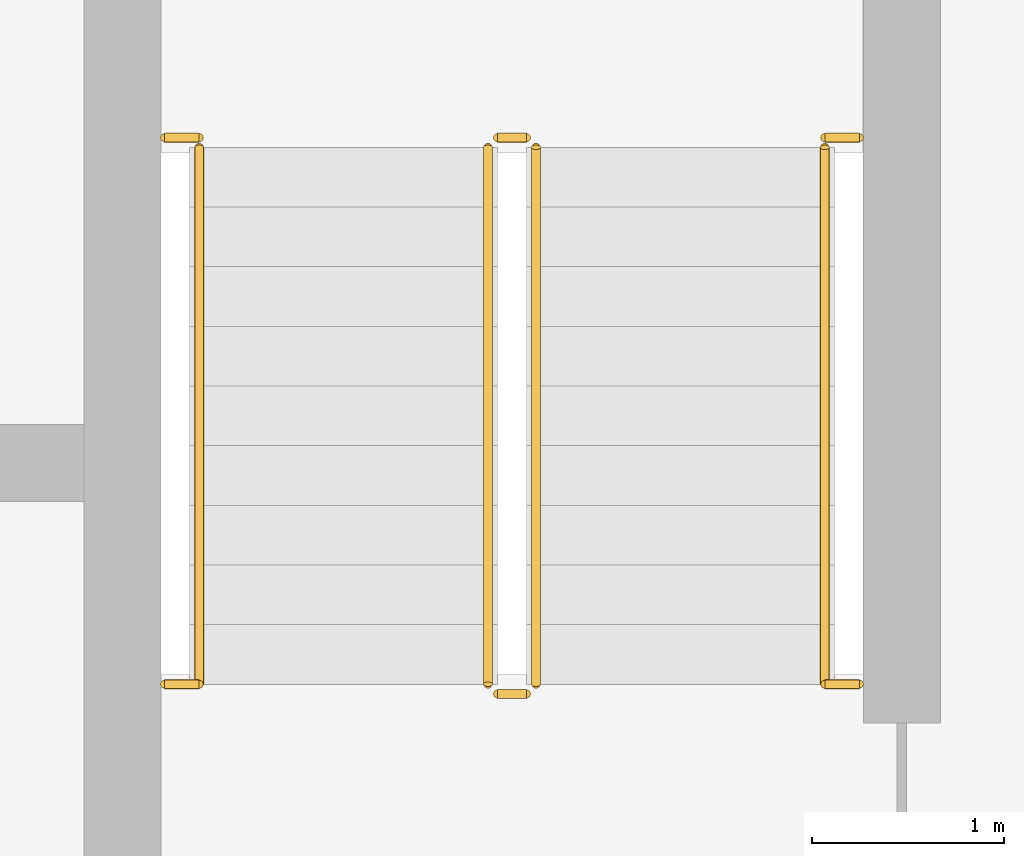
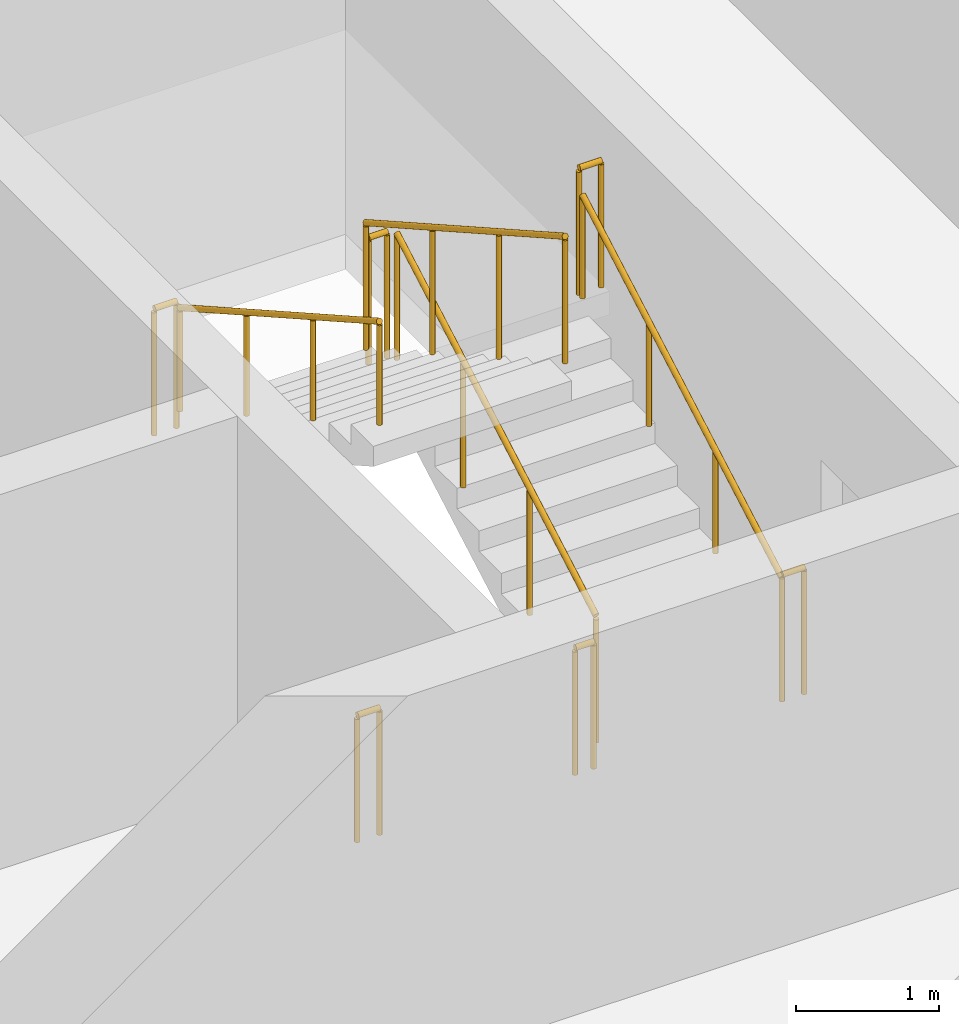
# One storey, part 19 of 21: 10 railings.
"""IFC4 building model written with IfcOpenShell, lengths in metres."""

from ifc_helpers import new_model, si_unit, direction, frame, origin, origin_2d, place, context, subcontext, project, spatial, circle, extrude, material, type_object, element, save


model = new_model("IFC4")

# Units and contexts
model_context = context("Model", 3, precision=1e-05, world=origin(), true_north=direction((0.0, 1.0)))
body_context = subcontext(model_context, "Body", "Model", "MODEL_VIEW")
ifc_project = project(units=[si_unit("LENGTHUNIT", "METRE"), si_unit("AREAUNIT", "SQUARE_METRE"), si_unit("VOLUMEUNIT", "CUBIC_METRE"), si_unit("PLANEANGLEUNIT", "RADIAN"), si_unit("MASSUNIT", "GRAM", prefix="KILO")], contexts=[model_context])

# Site, building, storey
site_placement = place(None, origin())
site = spatial("IfcSite", under=ifc_project, at=site_placement, CompositionType="ELEMENT")
building_placement = place(site_placement, origin())
building = spatial("IfcBuilding", under=site, at=building_placement, Name="Madar Terraces", CompositionType="ELEMENT")
storey_placement = place(building_placement, frame((0.0, 0.0, 275.60009765625)))
storey = spatial("IfcBuildingStorey", under=building, at=storey_placement, Name="L72", CompositionType="ELEMENT", Elevation=275.60009765625)

# Railings
ifc_material_1 = material(Name="Stainless steel railing", Category="steel")
railing_type_1 = type_object("IfcRailingType", Name="Stair guard 1100", PredefinedType="GUARDRAIL", material=ifc_material_1)
railing_1_placement = place(storey_placement, frame((41.449951171875, 17.60009765625, 0.1748046875)))
element("IfcRailing", 1, at=railing_1_placement, inside=storey, type_object=railing_type_1, Name="L72 ST3 stair guard 1", PredefinedType="GUARDRAIL", context=body_context, shape_type="SweptSolid", body=[
    extrude(circle(Radius=0.02392578125, at=origin_2d()), frame((0.0, 0.0, 1.076171875), z_axis=(0.0, 0.870782738816, 0.491667999549), x_axis=(-1.0, 0.0, 0.0)), (0.0, 0.0, 1.0), 3.203857421875),
    extrude(circle(Radius=0.02099609375, at=origin_2d()), origin(), (0.0, 0.0, 1.0), 1.052001953125),
    extrude(circle(Radius=0.02099609375, at=origin_2d()), frame((0.0, 0.929931640625, 0.525146484375)), (0.0, 0.0, 1.0), 1.052001953125),
    extrude(circle(Radius=0.02099609375, at=origin_2d()), frame((0.0, 1.85986328125, 1.050048828125)), (0.0, 0.0, 1.0), 1.052001953125),
    extrude(circle(Radius=0.02099609375, at=origin_2d()), frame((0.0, 2.789794921875, 1.5751953125)), (0.0, 0.0, 1.0), 1.052001953125),
])
railing_2_placement = place(storey_placement, frame((41.39990234375, 20.43994140625, 1.75)))
element("IfcRailing", 2, at=railing_2_placement, inside=storey, type_object=railing_type_1, Name="L72 ST3 stair guard 2", PredefinedType="GUARDRAIL", context=body_context, shape_type="SweptSolid", body=[
    extrude(circle(Radius=0.02392578125, at=origin_2d()), frame((0.0, 0.0, 1.076171875), z_axis=(-1.0, 0.0, 0.0), x_axis=(0.0, -1.0, 0.0)), (0.0, 0.0, 1.0), 0.14990234375),
    extrude(circle(Radius=0.02099609375, at=origin_2d()), origin(), (0.0, 0.0, 1.0), 1.052001953125),
    extrude(circle(Radius=0.02099609375, at=origin_2d()), frame((-0.14990234375, 0.0, 0.0)), (0.0, 0.0, 1.0), 1.052001953125),
])
railing_3_placement = place(storey_placement, frame((41.199951171875, 20.389892578125, 1.9248046875)))
element("IfcRailing", 3, at=railing_3_placement, inside=storey, type_object=railing_type_1, Name="L72 ST3 stair guard 3", PredefinedType="GUARDRAIL", context=body_context, shape_type="SweptSolid", body=[
    extrude(circle(Radius=0.02392578125, at=origin_2d()), frame((0.0, 0.0, 1.076171875), z_axis=(0.0, -0.870782738816, 0.491667999549), x_axis=(1.0, 0.0, 0.0)), (0.0, 0.0, 1.0), 3.203857421875),
    extrude(circle(Radius=0.02099609375, at=origin_2d()), origin(), (0.0, 0.0, 1.0), 1.052001953125),
    extrude(circle(Radius=0.02099609375, at=origin_2d()), frame((0.0, -0.929931640625, 0.525146484375)), (0.0, 0.0, 1.0), 1.052001953125),
    extrude(circle(Radius=0.02099609375, at=origin_2d()), frame((0.0, -1.85986328125, 1.050048828125)), (0.0, 0.0, 1.0), 1.052001953125),
    extrude(circle(Radius=0.02099609375, at=origin_2d()), frame((0.0, -2.789794921875, 1.5751953125)), (0.0, 0.0, 1.0), 1.052001953125),
])
railing_4_placement = place(storey_placement, frame((41.39990234375, 17.550048828125, 0.0)))
element("IfcRailing", 4, at=railing_4_placement, inside=storey, type_object=railing_type_1, Name="L72 ST3 stair guard 4", PredefinedType="GUARDRAIL", context=body_context, shape_type="SweptSolid", body=[
    extrude(circle(Radius=0.02392578125, at=origin_2d()), frame((0.0, 0.0, 1.076171875), z_axis=(-1.0, 0.0, 0.0), x_axis=(0.0, -1.0, 0.0)), (0.0, 0.0, 1.0), 0.14990234375),
    extrude(circle(Radius=0.02099609375, at=origin_2d()), origin(), (0.0, 0.0, 1.0), 1.052001953125),
    extrude(circle(Radius=0.02099609375, at=origin_2d()), frame((-0.14990234375, 0.0, 0.0)), (0.0, 0.0, 1.0), 1.052001953125),
])
for number, where, name in (
    (5, (39.52001953125, 20.43994140625, 1.75), "L72 stair guard seat 1"),
    (6, (42.949951171875, 20.43994140625, 1.75), "L72 stair guard seat 2"),
    (7, (39.52001953125, 17.60009765625, 0.0), "L72 stair guard floor 1"),
    (8, (42.949951171875, 17.60009765625, 0.0), "L72 stair guard floor 2"),
):
    element("IfcRailing", number, at=place(storey_placement, frame(where)), inside=storey, type_object=railing_type_1, Name=name, PredefinedType="GUARDRAIL", context=body_context, shape_type="SweptSolid", body=[
        extrude(circle(Radius=0.02392578125, at=origin_2d()), frame((0.0, 0.0, 1.076171875), z_axis=(1.0, 0.0, 0.0), x_axis=(0.0, 1.0, 0.0)), (0.0, 0.0, 1.0), 0.179931640625),
        extrude(circle(Radius=0.02099609375, at=origin_2d()), origin(), (0.0, 0.0, 1.0), 1.052001953125),
        extrude(circle(Radius=0.02099609375, at=origin_2d()), frame((0.179931640625, 0.0, 0.0)), (0.0, 0.0, 1.0), 1.052001953125),
    ])
ifc_material_2 = material(Name="Stainless steel railing", Category="steel")
railing_type_2 = type_object("IfcRailingType", Name="Stair handrail 900", PredefinedType="HANDRAIL", material=ifc_material_2)
railing_5_placement = place(storey_placement, frame((42.949951171875, 17.60009765625, 0.1748046875)))
element("IfcRailing", 9, at=railing_5_placement, inside=storey, type_object=railing_type_2, Name="L72 ST3 stair handrail 1", PredefinedType="HANDRAIL", context=body_context, shape_type="SweptSolid", body=[
    extrude(circle(Radius=0.02392578125, at=origin_2d()), frame((0.0, 0.0, 0.8759765625), z_axis=(0.0, 0.870782738816, 0.491667999549), x_axis=(-1.0, 0.0, 0.0)), (0.0, 0.0, 1.0), 3.203857421875),
    extrude(circle(Radius=0.02099609375, at=origin_2d()), origin(), (0.0, 0.0, 1.0), 0.851806640625),
    extrude(circle(Radius=0.02099609375, at=origin_2d()), frame((0.0, 0.929931640625, 0.525146484375)), (0.0, 0.0, 1.0), 0.851806640625),
    extrude(circle(Radius=0.02099609375, at=origin_2d()), frame((0.0, 1.85986328125, 1.050048828125)), (0.0, 0.0, 1.0), 0.851806640625),
    extrude(circle(Radius=0.02099609375, at=origin_2d()), frame((0.0, 2.789794921875, 1.5751953125)), (0.0, 0.0, 1.0), 0.851806640625),
])
railing_6_placement = place(storey_placement, frame((39.699951171875, 20.389892578125, 1.9248046875)))
element("IfcRailing", 10, at=railing_6_placement, inside=storey, type_object=railing_type_2, Name="L72 ST3 stair handrail 2", PredefinedType="HANDRAIL", context=body_context, shape_type="SweptSolid", body=[
    extrude(circle(Radius=0.02392578125, at=origin_2d()), frame((0.0, 0.0, 0.8759765625), z_axis=(0.0, -0.870782738816, 0.491667999549), x_axis=(1.0, 0.0, 0.0)), (0.0, 0.0, 1.0), 3.203857421875),
    extrude(circle(Radius=0.02099609375, at=origin_2d()), origin(), (0.0, 0.0, 1.0), 0.851806640625),
    extrude(circle(Radius=0.02099609375, at=origin_2d()), frame((0.0, -0.929931640625, 0.525146484375)), (0.0, 0.0, 1.0), 0.851806640625),
    extrude(circle(Radius=0.02099609375, at=origin_2d()), frame((0.0, -1.85986328125, 1.050048828125)), (0.0, 0.0, 1.0), 0.851806640625),
    extrude(circle(Radius=0.02099609375, at=origin_2d()), frame((0.0, -2.789794921875, 1.5751953125)), (0.0, 0.0, 1.0), 0.851806640625),
])

save(model, "model.ifc")
